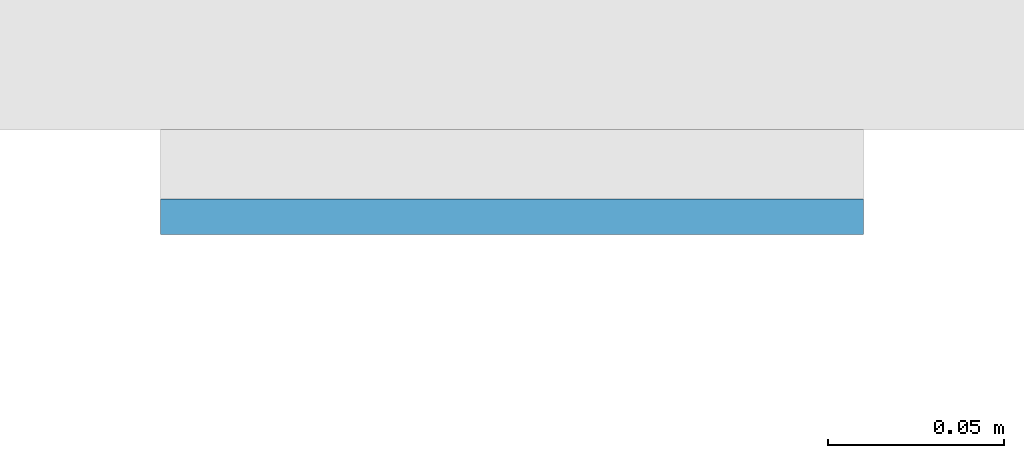
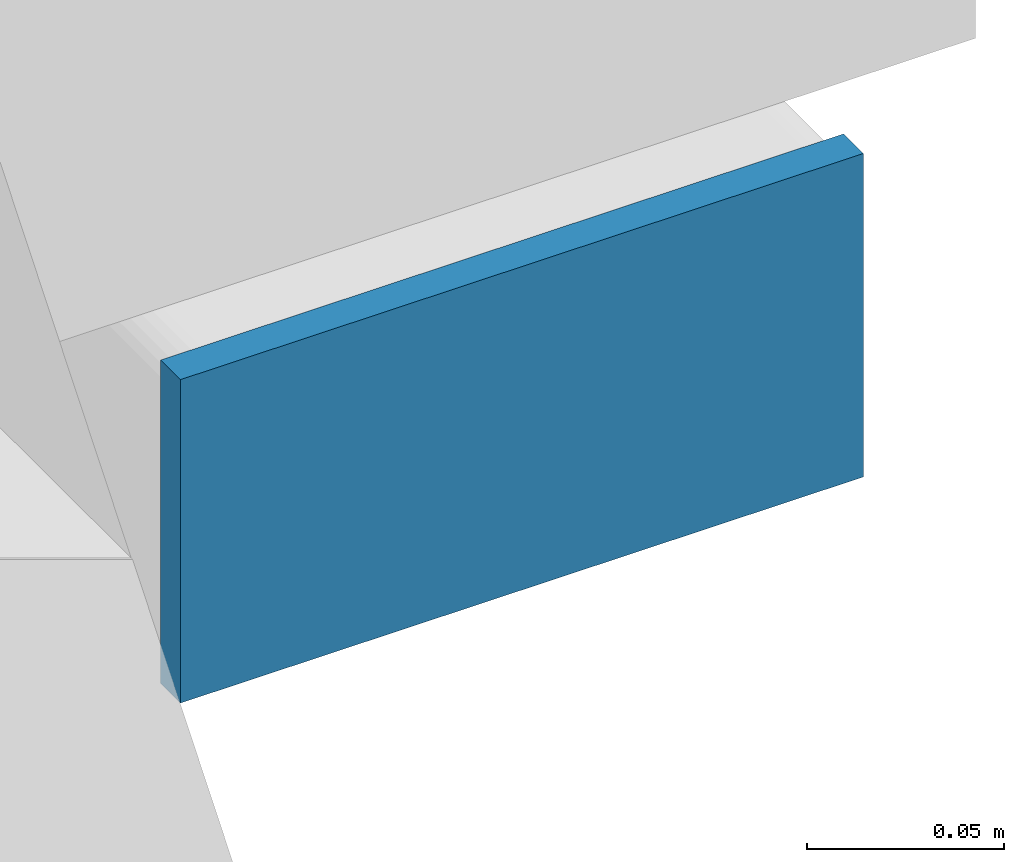
# One storey, part 10 of 20: 1 plate.
"""IFC4 building model written with IfcOpenShell, lengths in metres."""

from ifc_helpers import new_model, si_unit, direction, frame, origin, origin_2d, place, context, subcontext, project, spatial, rectangle, extrude, material, layer, layer_set, type_object, element, save


model = new_model("IFC4")

# Units and contexts
model_context = context("Model", 3, precision=1e-05, world=origin(), true_north=direction((0.0, 1.0)))
body_context = subcontext(model_context, "Body", "Model", "MODEL_VIEW")
ifc_project = project(units=[si_unit("LENGTHUNIT", "METRE"), si_unit("AREAUNIT", "SQUARE_METRE"), si_unit("VOLUMEUNIT", "CUBIC_METRE"), si_unit("PLANEANGLEUNIT", "RADIAN"), si_unit("MASSUNIT", "GRAM", prefix="KILO")], contexts=[model_context])

# Site, building, storey
site_placement = place(None, origin())
site = spatial("IfcSite", under=ifc_project, at=site_placement, CompositionType="ELEMENT")
building_placement = place(site_placement, origin())
building = spatial("IfcBuilding", under=site, at=building_placement, Name="Cleftline Residences", CompositionType="ELEMENT")
storey_placement = place(building_placement, frame((0.0, 0.0, 196.60009765625)))
storey = spatial("IfcBuildingStorey", under=building, at=storey_placement, Name="L51", CompositionType="ELEMENT", Elevation=196.60009765625)

# Plate
ifc_material = material(Name="Steel S355, hot-dip galvanised", Category="steel")
ifc_layer = layer(ifc_material, 0.010009765625)
ifc_layer_set = layer_set([ifc_layer], Name="BAGUETTE CARRIER END PLATE 200X100X10")
plate_type = type_object("IfcPlateType", Name="BAGUETTE CARRIER END PLATE 200X100X10", PredefinedType="USERDEFINED", material=ifc_layer_set)
plate_placement = place(storey_placement, frame((66.85009765625, 3.695068359375, -0.10009765625), z_axis=(0.0, 0.0, 1.0), x_axis=(1.0, 0.0, 0.0)))
element("IfcPlate", 1, at=plate_placement, inside=storey, type_object=plate_type, Name="Baguette carrier end plate", ObjectType="BAGUETTE CARRIER END PLATE", PredefinedType="USERDEFINED", context=body_context, shape_type="SweptSolid", body=[
    extrude(rectangle(XDim=0.199951171875, YDim=0.010009765625, at=origin_2d()), origin(), (0.0, 0.0, 1.0), 0.10009765625),
])

save(model, "model.ifc")
